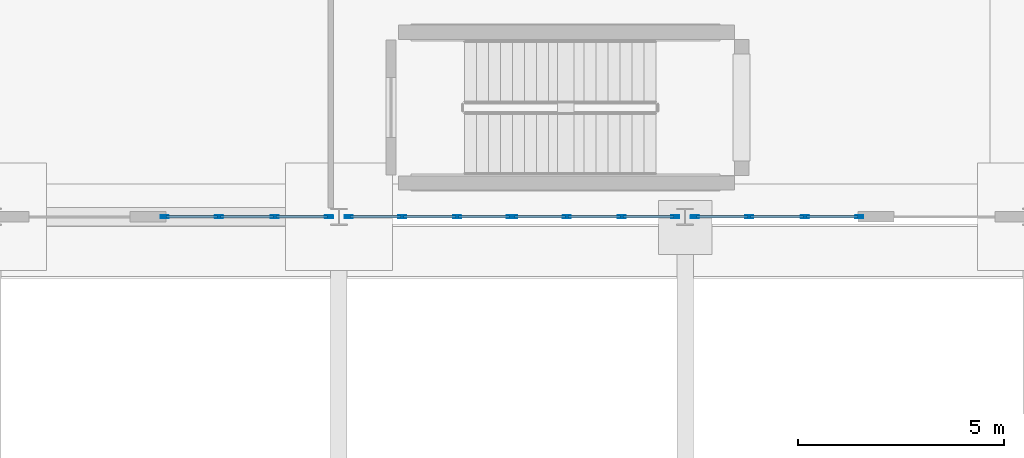
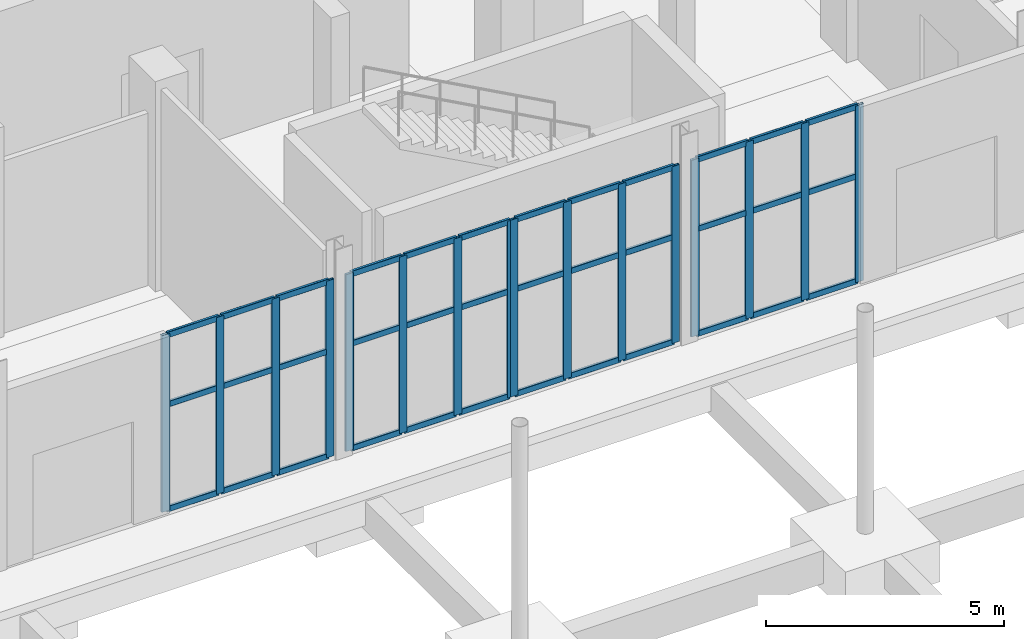
# One storey, part 45 of 95: 52 members, 4 elements without a shape of their own.
"""IFC4 building model written with IfcOpenShell, lengths in metres."""

from ifc_helpers import new_model, si_unit, direction, frame, origin, origin_2d, place, context, subcontext, project, spatial, hollow_rectangle, extrude, material, material_profile, profile_set, type_object, element, aggregate, save


model = new_model("IFC4")

# Units and contexts
model_context = context("Model", 3, precision=1e-05, world=origin(), true_north=direction((0.0, 1.0)))
body_context = subcontext(model_context, "Body", "Model", "MODEL_VIEW")
ifc_project = project(units=[si_unit("LENGTHUNIT", "METRE"), si_unit("AREAUNIT", "SQUARE_METRE"), si_unit("VOLUMEUNIT", "CUBIC_METRE"), si_unit("PLANEANGLEUNIT", "RADIAN"), si_unit("MASSUNIT", "GRAM", prefix="KILO")], contexts=[model_context])

# Site, building, storey
site_placement = place(None, origin())
site = spatial("IfcSite", under=ifc_project, at=site_placement, CompositionType="ELEMENT")
building_placement = place(site_placement, origin())
building = spatial("IfcBuilding", under=site, at=building_placement, Name="Shengluoqiao Park Theatre", CompositionType="ELEMENT")
storey_placement = place(building_placement, origin())
storey = spatial("IfcBuildingStorey", under=building, at=storey_placement, Name="L00", CompositionType="ELEMENT", Elevation=0.0)

# Curtain wall, members
ifc_material = material(Name="Aluminium 6063-T6", Category="aluminium")
curtain_wall_type = type_object("IfcCurtainWallType", Name="ENV-CW-PROM", PredefinedType="NOTDEFINED", material=ifc_material)
curtain_wall_1_placement = place(storey_placement, origin())
curtain_wall_1 = element("IfcCurtainWall", 1, at=curtain_wall_1_placement, inside=storey, type_object=curtain_wall_type, Name="L00 Curtain Wall CW-L00-0042", PredefinedType="NOTDEFINED")
ifc_material_profile_1 = material_profile(ifc_material, hollow_rectangle(XDim=0.06494140625, YDim=0.199951171875, WallThickness=0.0048828125, InnerFilletRadius=0.0048828125, OuterFilletRadius=0.010009765625, at=origin_2d()), Name="ALU MULLION 200x65x5")
ifc_profile_set_1 = profile_set([ifc_material_profile_1], Name="Aluminium 6063-T6")
member_type_1 = type_object("IfcMemberType", Name="ENV-MUL-200", PredefinedType="MULLION", material=ifc_profile_set_1)
member_1_placement = place(storey_placement, frame((65.37255859375, 68.39990234375, 0.0), z_axis=(0.0, 0.0, 1.0), x_axis=(0.0, 1.0, 0.0)))
member_1 = element("IfcMember", 2, at=member_1_placement, type_object=member_type_1, Name="CW-04 mullion 1", PredefinedType="MULLION", context=body_context, shape_type="SweptSolid", body=[
    extrude(hollow_rectangle(XDim=0.06494140625, YDim=0.199951171875, WallThickness=0.0048828125, InnerFilletRadius=0.0048828125, OuterFilletRadius=0.010009765625, at=origin_2d()), origin(), (0.0, 0.0, 1.0), 4.5419921875),
])
member_2_placement = place(storey_placement, frame((66.691162109375, 68.39990234375, 0.0), z_axis=(0.0, 0.0, 1.0), x_axis=(0.0, 1.0, 0.0)))
member_2 = element("IfcMember", 3, at=member_2_placement, type_object=member_type_1, Name="CW-04 mullion 2", PredefinedType="MULLION", context=body_context, shape_type="SweptSolid", body=[
    extrude(hollow_rectangle(XDim=0.06494140625, YDim=0.199951171875, WallThickness=0.0048828125, InnerFilletRadius=0.0048828125, OuterFilletRadius=0.010009765625, at=origin_2d()), origin(), (0.0, 0.0, 1.0), 4.5419921875),
])
member_3_placement = place(storey_placement, frame((68.042236328125, 68.39990234375, 0.0), z_axis=(0.0, 0.0, 1.0), x_axis=(0.0, 1.0, 0.0)))
member_3 = element("IfcMember", 4, at=member_3_placement, type_object=member_type_1, Name="CW-04 mullion 3", PredefinedType="MULLION", context=body_context, shape_type="SweptSolid", body=[
    extrude(hollow_rectangle(XDim=0.06494140625, YDim=0.199951171875, WallThickness=0.0048828125, InnerFilletRadius=0.0048828125, OuterFilletRadius=0.010009765625, at=origin_2d()), origin(), (0.0, 0.0, 1.0), 4.5419921875),
])
member_4_placement = place(storey_placement, frame((69.361083984375, 68.39990234375, 0.0), z_axis=(0.0, 0.0, 1.0), x_axis=(0.0, 1.0, 0.0)))
member_4 = element("IfcMember", 5, at=member_4_placement, type_object=member_type_1, Name="CW-04 mullion 4", PredefinedType="MULLION", context=body_context, shape_type="SweptSolid", body=[
    extrude(hollow_rectangle(XDim=0.06494140625, YDim=0.199951171875, WallThickness=0.0048828125, InnerFilletRadius=0.0048828125, OuterFilletRadius=0.010009765625, at=origin_2d()), origin(), (0.0, 0.0, 1.0), 4.5419921875),
])

curtain_wall_2_placement = place(storey_placement, origin())
curtain_wall_2 = element("IfcCurtainWall", 6, at=curtain_wall_2_placement, inside=storey, type_object=curtain_wall_type, Name="L00 Curtain Wall CW-L00-0043", PredefinedType="NOTDEFINED")
member_5_placement = place(storey_placement, frame((69.839111328125, 68.39990234375, 0.0), z_axis=(0.0, 0.0, 1.0), x_axis=(0.0, 1.0, 0.0)))
member_5 = element("IfcMember", 7, at=member_5_placement, type_object=member_type_1, Name="CW-04 mullion 1", PredefinedType="MULLION", context=body_context, shape_type="SweptSolid", body=[
    extrude(hollow_rectangle(XDim=0.06494140625, YDim=0.199951171875, WallThickness=0.0048828125, InnerFilletRadius=0.0048828125, OuterFilletRadius=0.010009765625, at=origin_2d()), origin(), (0.0, 0.0, 1.0), 4.5419921875),
])
member_6_placement = place(storey_placement, frame((71.1376953125, 68.39990234375, 0.0), z_axis=(0.0, 0.0, 1.0), x_axis=(0.0, 1.0, 0.0)))
member_6 = element("IfcMember", 8, at=member_6_placement, type_object=member_type_1, Name="CW-04 mullion 2", PredefinedType="MULLION", context=body_context, shape_type="SweptSolid", body=[
    extrude(hollow_rectangle(XDim=0.06494140625, YDim=0.199951171875, WallThickness=0.0048828125, InnerFilletRadius=0.0048828125, OuterFilletRadius=0.010009765625, at=origin_2d()), origin(), (0.0, 0.0, 1.0), 4.5419921875),
])
member_7_placement = place(storey_placement, frame((72.46875, 68.39990234375, 0.0), z_axis=(0.0, 0.0, 1.0), x_axis=(0.0, 1.0, 0.0)))
member_7 = element("IfcMember", 9, at=member_7_placement, type_object=member_type_1, Name="CW-04 mullion 3", PredefinedType="MULLION", context=body_context, shape_type="SweptSolid", body=[
    extrude(hollow_rectangle(XDim=0.06494140625, YDim=0.199951171875, WallThickness=0.0048828125, InnerFilletRadius=0.0048828125, OuterFilletRadius=0.010009765625, at=origin_2d()), origin(), (0.0, 0.0, 1.0), 4.5419921875),
])
member_8_placement = place(storey_placement, frame((73.767578125, 68.39990234375, 0.0), z_axis=(0.0, 0.0, 1.0), x_axis=(0.0, 1.0, 0.0)))
member_8 = element("IfcMember", 10, at=member_8_placement, type_object=member_type_1, Name="CW-04 mullion 4", PredefinedType="MULLION", context=body_context, shape_type="SweptSolid", body=[
    extrude(hollow_rectangle(XDim=0.06494140625, YDim=0.199951171875, WallThickness=0.0048828125, InnerFilletRadius=0.0048828125, OuterFilletRadius=0.010009765625, at=origin_2d()), origin(), (0.0, 0.0, 1.0), 4.5419921875),
])

curtain_wall_3_placement = place(storey_placement, origin())
curtain_wall_3 = element("IfcCurtainWall", 11, at=curtain_wall_3_placement, inside=storey, type_object=curtain_wall_type, Name="L00 Curtain Wall CW-L00-0044", PredefinedType="NOTDEFINED")
member_9_placement = place(storey_placement, frame((73.83251953125, 68.39990234375, 0.0), z_axis=(0.0, 0.0, 1.0), x_axis=(0.0, 1.0, 0.0)))
member_9 = element("IfcMember", 12, at=member_9_placement, type_object=member_type_1, Name="CW-04 mullion 1", PredefinedType="MULLION", context=body_context, shape_type="SweptSolid", body=[
    extrude(hollow_rectangle(XDim=0.06494140625, YDim=0.199951171875, WallThickness=0.0048828125, InnerFilletRadius=0.0048828125, OuterFilletRadius=0.010009765625, at=origin_2d()), origin(), (0.0, 0.0, 1.0), 4.5419921875),
])
member_10_placement = place(storey_placement, frame((75.131103515625, 68.39990234375, 0.0), z_axis=(0.0, 0.0, 1.0), x_axis=(0.0, 1.0, 0.0)))
member_10 = element("IfcMember", 13, at=member_10_placement, type_object=member_type_1, Name="CW-04 mullion 2", PredefinedType="MULLION", context=body_context, shape_type="SweptSolid", body=[
    extrude(hollow_rectangle(XDim=0.06494140625, YDim=0.199951171875, WallThickness=0.0048828125, InnerFilletRadius=0.0048828125, OuterFilletRadius=0.010009765625, at=origin_2d()), origin(), (0.0, 0.0, 1.0), 4.5419921875),
])
member_11_placement = place(storey_placement, frame((76.46240234375, 68.39990234375, 0.0), z_axis=(0.0, 0.0, 1.0), x_axis=(0.0, 1.0, 0.0)))
member_11 = element("IfcMember", 14, at=member_11_placement, type_object=member_type_1, Name="CW-04 mullion 3", PredefinedType="MULLION", context=body_context, shape_type="SweptSolid", body=[
    extrude(hollow_rectangle(XDim=0.06494140625, YDim=0.199951171875, WallThickness=0.0048828125, InnerFilletRadius=0.0048828125, OuterFilletRadius=0.010009765625, at=origin_2d()), origin(), (0.0, 0.0, 1.0), 4.5419921875),
])
member_12_placement = place(storey_placement, frame((77.760986328125, 68.39990234375, 0.0), z_axis=(0.0, 0.0, 1.0), x_axis=(0.0, 1.0, 0.0)))
member_12 = element("IfcMember", 15, at=member_12_placement, type_object=member_type_1, Name="CW-04 mullion 4", PredefinedType="MULLION", context=body_context, shape_type="SweptSolid", body=[
    extrude(hollow_rectangle(XDim=0.06494140625, YDim=0.199951171875, WallThickness=0.0048828125, InnerFilletRadius=0.0048828125, OuterFilletRadius=0.010009765625, at=origin_2d()), origin(), (0.0, 0.0, 1.0), 4.5419921875),
])

curtain_wall_4_placement = place(storey_placement, origin())
curtain_wall_4 = element("IfcCurtainWall", 16, at=curtain_wall_4_placement, inside=storey, type_object=curtain_wall_type, Name="L00 Curtain Wall CW-L00-0045", PredefinedType="NOTDEFINED")
member_13_placement = place(storey_placement, frame((78.239013671875, 68.39990234375, 0.0), z_axis=(0.0, 0.0, 1.0), x_axis=(0.0, 1.0, 0.0)))
member_13 = element("IfcMember", 17, at=member_13_placement, type_object=member_type_1, Name="CW-04 mullion 1", PredefinedType="MULLION", context=body_context, shape_type="SweptSolid", body=[
    extrude(hollow_rectangle(XDim=0.06494140625, YDim=0.199951171875, WallThickness=0.0048828125, InnerFilletRadius=0.0048828125, OuterFilletRadius=0.010009765625, at=origin_2d()), origin(), (0.0, 0.0, 1.0), 4.5419921875),
])
member_14_placement = place(storey_placement, frame((79.5576171875, 68.39990234375, 0.0), z_axis=(0.0, 0.0, 1.0), x_axis=(0.0, 1.0, 0.0)))
member_14 = element("IfcMember", 18, at=member_14_placement, type_object=member_type_1, Name="CW-04 mullion 2", PredefinedType="MULLION", context=body_context, shape_type="SweptSolid", body=[
    extrude(hollow_rectangle(XDim=0.06494140625, YDim=0.199951171875, WallThickness=0.0048828125, InnerFilletRadius=0.0048828125, OuterFilletRadius=0.010009765625, at=origin_2d()), origin(), (0.0, 0.0, 1.0), 4.5419921875),
])
member_15_placement = place(storey_placement, frame((80.908935546875, 68.39990234375, 0.0), z_axis=(0.0, 0.0, 1.0), x_axis=(0.0, 1.0, 0.0)))
member_15 = element("IfcMember", 19, at=member_15_placement, type_object=member_type_1, Name="CW-04 mullion 3", PredefinedType="MULLION", context=body_context, shape_type="SweptSolid", body=[
    extrude(hollow_rectangle(XDim=0.06494140625, YDim=0.199951171875, WallThickness=0.0048828125, InnerFilletRadius=0.0048828125, OuterFilletRadius=0.010009765625, at=origin_2d()), origin(), (0.0, 0.0, 1.0), 4.5419921875),
])
member_16_placement = place(storey_placement, frame((82.2275390625, 68.39990234375, 0.0), z_axis=(0.0, 0.0, 1.0), x_axis=(0.0, 1.0, 0.0)))
member_16 = element("IfcMember", 20, at=member_16_placement, type_object=member_type_1, Name="CW-04 mullion 4", PredefinedType="MULLION", context=body_context, shape_type="SweptSolid", body=[
    extrude(hollow_rectangle(XDim=0.06494140625, YDim=0.199951171875, WallThickness=0.0048828125, InnerFilletRadius=0.0048828125, OuterFilletRadius=0.010009765625, at=origin_2d()), origin(), (0.0, 0.0, 1.0), 4.5419921875),
])

# Member
ifc_material_profile_2 = material_profile(ifc_material, hollow_rectangle(XDim=0.06494140625, YDim=0.14990234375, WallThickness=0.00390625, InnerFilletRadius=0.00390625, OuterFilletRadius=0.008056640625, at=origin_2d()), Name="ALU TRANSOM 150x65x4")
ifc_profile_set_2 = profile_set([ifc_material_profile_2], Name="Aluminium 6063-T6")
member_type_2 = type_object("IfcMemberType", Name="ENV-TRN-150", PredefinedType="USERDEFINED", material=ifc_profile_set_2)
member_17_placement = place(storey_placement, frame((65.405029296875, 68.39990234375, 0.032470703125), z_axis=(1.0, 0.0, 0.0), x_axis=(0.0, 1.0, 0.0)))
member_17 = element("IfcMember", 21, at=member_17_placement, type_object=member_type_2, Name="CW-04 transom 1.1", ObjectType="TRANSOM", PredefinedType="USERDEFINED", context=body_context, shape_type="SweptSolid", body=[
    extrude(hollow_rectangle(XDim=0.06494140625, YDim=0.14990234375, WallThickness=0.00390625, InnerFilletRadius=0.00390625, OuterFilletRadius=0.008056640625, at=origin_2d()), origin(), (0.0, 0.0, 1.0), 1.253662109375),
])

member_18_placement = place(storey_placement, frame((65.405029296875, 68.39990234375, 2.72509765625), z_axis=(1.0, 0.0, 0.0), x_axis=(0.0, 1.0, 0.0)))
member_18 = element("IfcMember", 22, at=member_18_placement, type_object=member_type_2, Name="CW-04 transom 1.2", ObjectType="TRANSOM", PredefinedType="USERDEFINED", context=body_context, shape_type="SweptSolid", body=[
    extrude(hollow_rectangle(XDim=0.06494140625, YDim=0.14990234375, WallThickness=0.00390625, InnerFilletRadius=0.00390625, OuterFilletRadius=0.008056640625, at=origin_2d()), origin(), (0.0, 0.0, 1.0), 1.253662109375),
])

member_19_placement = place(storey_placement, frame((65.405029296875, 68.39990234375, 4.509521484375), z_axis=(1.0, 0.0, 0.0), x_axis=(0.0, 1.0, 0.0)))
member_19 = element("IfcMember", 23, at=member_19_placement, type_object=member_type_2, Name="CW-04 transom 1.3", ObjectType="TRANSOM", PredefinedType="USERDEFINED", context=body_context, shape_type="SweptSolid", body=[
    extrude(hollow_rectangle(XDim=0.06494140625, YDim=0.14990234375, WallThickness=0.00390625, InnerFilletRadius=0.00390625, OuterFilletRadius=0.008056640625, at=origin_2d()), origin(), (0.0, 0.0, 1.0), 1.253662109375),
])

member_20_placement = place(storey_placement, frame((66.7236328125, 68.39990234375, 0.032470703125), z_axis=(1.0, 0.0, 0.0), x_axis=(0.0, 1.0, 0.0)))
member_20 = element("IfcMember", 24, at=member_20_placement, type_object=member_type_2, Name="CW-04 transom 2.1", ObjectType="TRANSOM", PredefinedType="USERDEFINED", context=body_context, shape_type="SweptSolid", body=[
    extrude(hollow_rectangle(XDim=0.06494140625, YDim=0.14990234375, WallThickness=0.00390625, InnerFilletRadius=0.00390625, OuterFilletRadius=0.008056640625, at=origin_2d()), origin(), (0.0, 0.0, 1.0), 1.2861328125),
])

member_21_placement = place(storey_placement, frame((66.7236328125, 68.39990234375, 2.72509765625), z_axis=(1.0, 0.0, 0.0), x_axis=(0.0, 1.0, 0.0)))
member_21 = element("IfcMember", 25, at=member_21_placement, type_object=member_type_2, Name="CW-04 transom 2.2", ObjectType="TRANSOM", PredefinedType="USERDEFINED", context=body_context, shape_type="SweptSolid", body=[
    extrude(hollow_rectangle(XDim=0.06494140625, YDim=0.14990234375, WallThickness=0.00390625, InnerFilletRadius=0.00390625, OuterFilletRadius=0.008056640625, at=origin_2d()), origin(), (0.0, 0.0, 1.0), 1.2861328125),
])

member_22_placement = place(storey_placement, frame((66.7236328125, 68.39990234375, 4.509521484375), z_axis=(1.0, 0.0, 0.0), x_axis=(0.0, 1.0, 0.0)))
member_22 = element("IfcMember", 26, at=member_22_placement, type_object=member_type_2, Name="CW-04 transom 2.3", ObjectType="TRANSOM", PredefinedType="USERDEFINED", context=body_context, shape_type="SweptSolid", body=[
    extrude(hollow_rectangle(XDim=0.06494140625, YDim=0.14990234375, WallThickness=0.00390625, InnerFilletRadius=0.00390625, OuterFilletRadius=0.008056640625, at=origin_2d()), origin(), (0.0, 0.0, 1.0), 1.2861328125),
])

member_23_placement = place(storey_placement, frame((68.074951171875, 68.39990234375, 0.032470703125), z_axis=(1.0, 0.0, 0.0), x_axis=(0.0, 1.0, 0.0)))
member_23 = element("IfcMember", 27, at=member_23_placement, type_object=member_type_2, Name="CW-04 transom 3.1", ObjectType="TRANSOM", PredefinedType="USERDEFINED", context=body_context, shape_type="SweptSolid", body=[
    extrude(hollow_rectangle(XDim=0.06494140625, YDim=0.14990234375, WallThickness=0.00390625, InnerFilletRadius=0.00390625, OuterFilletRadius=0.008056640625, at=origin_2d()), origin(), (0.0, 0.0, 1.0), 1.253662109375),
])

member_24_placement = place(storey_placement, frame((68.074951171875, 68.39990234375, 2.72509765625), z_axis=(1.0, 0.0, 0.0), x_axis=(0.0, 1.0, 0.0)))
member_24 = element("IfcMember", 28, at=member_24_placement, type_object=member_type_2, Name="CW-04 transom 3.2", ObjectType="TRANSOM", PredefinedType="USERDEFINED", context=body_context, shape_type="SweptSolid", body=[
    extrude(hollow_rectangle(XDim=0.06494140625, YDim=0.14990234375, WallThickness=0.00390625, InnerFilletRadius=0.00390625, OuterFilletRadius=0.008056640625, at=origin_2d()), origin(), (0.0, 0.0, 1.0), 1.253662109375),
])

member_25_placement = place(storey_placement, frame((68.074951171875, 68.39990234375, 4.509521484375), z_axis=(1.0, 0.0, 0.0), x_axis=(0.0, 1.0, 0.0)))
member_25 = element("IfcMember", 29, at=member_25_placement, type_object=member_type_2, Name="CW-04 transom 3.3", ObjectType="TRANSOM", PredefinedType="USERDEFINED", context=body_context, shape_type="SweptSolid", body=[
    extrude(hollow_rectangle(XDim=0.06494140625, YDim=0.14990234375, WallThickness=0.00390625, InnerFilletRadius=0.00390625, OuterFilletRadius=0.008056640625, at=origin_2d()), origin(), (0.0, 0.0, 1.0), 1.253662109375),
])

aggregate(curtain_wall_1, [member_1, member_2, member_3, member_4, member_17, member_18, member_19, member_20, member_21, member_22, member_23, member_24, member_25])

member_26_placement = place(storey_placement, frame((69.87158203125, 68.39990234375, 0.032470703125), z_axis=(1.0, 0.0, 0.0), x_axis=(0.0, 1.0, 0.0)))
member_26 = element("IfcMember", 30, at=member_26_placement, type_object=member_type_2, Name="CW-04 transom 1.1", ObjectType="TRANSOM", PredefinedType="USERDEFINED", context=body_context, shape_type="SweptSolid", body=[
    extrude(hollow_rectangle(XDim=0.06494140625, YDim=0.14990234375, WallThickness=0.00390625, InnerFilletRadius=0.00390625, OuterFilletRadius=0.008056640625, at=origin_2d()), origin(), (0.0, 0.0, 1.0), 1.233642578125),
])

member_27_placement = place(storey_placement, frame((69.87158203125, 68.39990234375, 2.72509765625), z_axis=(1.0, 0.0, 0.0), x_axis=(0.0, 1.0, 0.0)))
member_27 = element("IfcMember", 31, at=member_27_placement, type_object=member_type_2, Name="CW-04 transom 1.2", ObjectType="TRANSOM", PredefinedType="USERDEFINED", context=body_context, shape_type="SweptSolid", body=[
    extrude(hollow_rectangle(XDim=0.06494140625, YDim=0.14990234375, WallThickness=0.00390625, InnerFilletRadius=0.00390625, OuterFilletRadius=0.008056640625, at=origin_2d()), origin(), (0.0, 0.0, 1.0), 1.233642578125),
])

member_28_placement = place(storey_placement, frame((69.87158203125, 68.39990234375, 4.509521484375), z_axis=(1.0, 0.0, 0.0), x_axis=(0.0, 1.0, 0.0)))
member_28 = element("IfcMember", 32, at=member_28_placement, type_object=member_type_2, Name="CW-04 transom 1.3", ObjectType="TRANSOM", PredefinedType="USERDEFINED", context=body_context, shape_type="SweptSolid", body=[
    extrude(hollow_rectangle(XDim=0.06494140625, YDim=0.14990234375, WallThickness=0.00390625, InnerFilletRadius=0.00390625, OuterFilletRadius=0.008056640625, at=origin_2d()), origin(), (0.0, 0.0, 1.0), 1.233642578125),
])

member_29_placement = place(storey_placement, frame((71.170166015625, 68.39990234375, 0.032470703125), z_axis=(1.0, 0.0, 0.0), x_axis=(0.0, 1.0, 0.0)))
member_29 = element("IfcMember", 33, at=member_29_placement, type_object=member_type_2, Name="CW-04 transom 2.1", ObjectType="TRANSOM", PredefinedType="USERDEFINED", context=body_context, shape_type="SweptSolid", body=[
    extrude(hollow_rectangle(XDim=0.06494140625, YDim=0.14990234375, WallThickness=0.00390625, InnerFilletRadius=0.00390625, OuterFilletRadius=0.008056640625, at=origin_2d()), origin(), (0.0, 0.0, 1.0), 1.26611328125),
])

member_30_placement = place(storey_placement, frame((71.170166015625, 68.39990234375, 2.72509765625), z_axis=(1.0, 0.0, 0.0), x_axis=(0.0, 1.0, 0.0)))
member_30 = element("IfcMember", 34, at=member_30_placement, type_object=member_type_2, Name="CW-04 transom 2.2", ObjectType="TRANSOM", PredefinedType="USERDEFINED", context=body_context, shape_type="SweptSolid", body=[
    extrude(hollow_rectangle(XDim=0.06494140625, YDim=0.14990234375, WallThickness=0.00390625, InnerFilletRadius=0.00390625, OuterFilletRadius=0.008056640625, at=origin_2d()), origin(), (0.0, 0.0, 1.0), 1.26611328125),
])

member_31_placement = place(storey_placement, frame((71.170166015625, 68.39990234375, 4.509521484375), z_axis=(1.0, 0.0, 0.0), x_axis=(0.0, 1.0, 0.0)))
member_31 = element("IfcMember", 35, at=member_31_placement, type_object=member_type_2, Name="CW-04 transom 2.3", ObjectType="TRANSOM", PredefinedType="USERDEFINED", context=body_context, shape_type="SweptSolid", body=[
    extrude(hollow_rectangle(XDim=0.06494140625, YDim=0.14990234375, WallThickness=0.00390625, InnerFilletRadius=0.00390625, OuterFilletRadius=0.008056640625, at=origin_2d()), origin(), (0.0, 0.0, 1.0), 1.26611328125),
])

member_32_placement = place(storey_placement, frame((72.501220703125, 68.39990234375, 0.032470703125), z_axis=(1.0, 0.0, 0.0), x_axis=(0.0, 1.0, 0.0)))
member_32 = element("IfcMember", 36, at=member_32_placement, type_object=member_type_2, Name="CW-04 transom 3.1", ObjectType="TRANSOM", PredefinedType="USERDEFINED", context=body_context, shape_type="SweptSolid", body=[
    extrude(hollow_rectangle(XDim=0.06494140625, YDim=0.14990234375, WallThickness=0.00390625, InnerFilletRadius=0.00390625, OuterFilletRadius=0.008056640625, at=origin_2d()), origin(), (0.0, 0.0, 1.0), 1.23388671875),
])

member_33_placement = place(storey_placement, frame((72.501220703125, 68.39990234375, 2.72509765625), z_axis=(1.0, 0.0, 0.0), x_axis=(0.0, 1.0, 0.0)))
member_33 = element("IfcMember", 37, at=member_33_placement, type_object=member_type_2, Name="CW-04 transom 3.2", ObjectType="TRANSOM", PredefinedType="USERDEFINED", context=body_context, shape_type="SweptSolid", body=[
    extrude(hollow_rectangle(XDim=0.06494140625, YDim=0.14990234375, WallThickness=0.00390625, InnerFilletRadius=0.00390625, OuterFilletRadius=0.008056640625, at=origin_2d()), origin(), (0.0, 0.0, 1.0), 1.23388671875),
])

member_34_placement = place(storey_placement, frame((72.501220703125, 68.39990234375, 4.509521484375), z_axis=(1.0, 0.0, 0.0), x_axis=(0.0, 1.0, 0.0)))
member_34 = element("IfcMember", 38, at=member_34_placement, type_object=member_type_2, Name="CW-04 transom 3.3", ObjectType="TRANSOM", PredefinedType="USERDEFINED", context=body_context, shape_type="SweptSolid", body=[
    extrude(hollow_rectangle(XDim=0.06494140625, YDim=0.14990234375, WallThickness=0.00390625, InnerFilletRadius=0.00390625, OuterFilletRadius=0.008056640625, at=origin_2d()), origin(), (0.0, 0.0, 1.0), 1.23388671875),
])

aggregate(curtain_wall_2, [member_5, member_6, member_7, member_8, member_26, member_27, member_28, member_29, member_30, member_31, member_32, member_33, member_34])

member_35_placement = place(storey_placement, frame((73.864990234375, 68.39990234375, 0.032470703125), z_axis=(1.0, 0.0, 0.0), x_axis=(0.0, 1.0, 0.0)))
member_35 = element("IfcMember", 39, at=member_35_placement, type_object=member_type_2, Name="CW-04 transom 1.1", ObjectType="TRANSOM", PredefinedType="USERDEFINED", context=body_context, shape_type="SweptSolid", body=[
    extrude(hollow_rectangle(XDim=0.06494140625, YDim=0.14990234375, WallThickness=0.00390625, InnerFilletRadius=0.00390625, OuterFilletRadius=0.008056640625, at=origin_2d()), origin(), (0.0, 0.0, 1.0), 1.233642578125),
])

member_36_placement = place(storey_placement, frame((73.864990234375, 68.39990234375, 2.72509765625), z_axis=(1.0, 0.0, 0.0), x_axis=(0.0, 1.0, 0.0)))
member_36 = element("IfcMember", 40, at=member_36_placement, type_object=member_type_2, Name="CW-04 transom 1.2", ObjectType="TRANSOM", PredefinedType="USERDEFINED", context=body_context, shape_type="SweptSolid", body=[
    extrude(hollow_rectangle(XDim=0.06494140625, YDim=0.14990234375, WallThickness=0.00390625, InnerFilletRadius=0.00390625, OuterFilletRadius=0.008056640625, at=origin_2d()), origin(), (0.0, 0.0, 1.0), 1.233642578125),
])

member_37_placement = place(storey_placement, frame((73.864990234375, 68.39990234375, 4.509521484375), z_axis=(1.0, 0.0, 0.0), x_axis=(0.0, 1.0, 0.0)))
member_37 = element("IfcMember", 41, at=member_37_placement, type_object=member_type_2, Name="CW-04 transom 1.3", ObjectType="TRANSOM", PredefinedType="USERDEFINED", context=body_context, shape_type="SweptSolid", body=[
    extrude(hollow_rectangle(XDim=0.06494140625, YDim=0.14990234375, WallThickness=0.00390625, InnerFilletRadius=0.00390625, OuterFilletRadius=0.008056640625, at=origin_2d()), origin(), (0.0, 0.0, 1.0), 1.233642578125),
])

member_38_placement = place(storey_placement, frame((75.16357421875, 68.39990234375, 0.032470703125), z_axis=(1.0, 0.0, 0.0), x_axis=(0.0, 1.0, 0.0)))
member_38 = element("IfcMember", 42, at=member_38_placement, type_object=member_type_2, Name="CW-04 transom 2.1", ObjectType="TRANSOM", PredefinedType="USERDEFINED", context=body_context, shape_type="SweptSolid", body=[
    extrude(hollow_rectangle(XDim=0.06494140625, YDim=0.14990234375, WallThickness=0.00390625, InnerFilletRadius=0.00390625, OuterFilletRadius=0.008056640625, at=origin_2d()), origin(), (0.0, 0.0, 1.0), 1.266357421875),
])

member_39_placement = place(storey_placement, frame((75.16357421875, 68.39990234375, 2.72509765625), z_axis=(1.0, 0.0, 0.0), x_axis=(0.0, 1.0, 0.0)))
member_39 = element("IfcMember", 43, at=member_39_placement, type_object=member_type_2, Name="CW-04 transom 2.2", ObjectType="TRANSOM", PredefinedType="USERDEFINED", context=body_context, shape_type="SweptSolid", body=[
    extrude(hollow_rectangle(XDim=0.06494140625, YDim=0.14990234375, WallThickness=0.00390625, InnerFilletRadius=0.00390625, OuterFilletRadius=0.008056640625, at=origin_2d()), origin(), (0.0, 0.0, 1.0), 1.266357421875),
])

member_40_placement = place(storey_placement, frame((75.16357421875, 68.39990234375, 4.509521484375), z_axis=(1.0, 0.0, 0.0), x_axis=(0.0, 1.0, 0.0)))
member_40 = element("IfcMember", 44, at=member_40_placement, type_object=member_type_2, Name="CW-04 transom 2.3", ObjectType="TRANSOM", PredefinedType="USERDEFINED", context=body_context, shape_type="SweptSolid", body=[
    extrude(hollow_rectangle(XDim=0.06494140625, YDim=0.14990234375, WallThickness=0.00390625, InnerFilletRadius=0.00390625, OuterFilletRadius=0.008056640625, at=origin_2d()), origin(), (0.0, 0.0, 1.0), 1.266357421875),
])

member_41_placement = place(storey_placement, frame((76.494873046875, 68.39990234375, 0.032470703125), z_axis=(1.0, 0.0, 0.0), x_axis=(0.0, 1.0, 0.0)))
member_41 = element("IfcMember", 45, at=member_41_placement, type_object=member_type_2, Name="CW-04 transom 3.1", ObjectType="TRANSOM", PredefinedType="USERDEFINED", context=body_context, shape_type="SweptSolid", body=[
    extrude(hollow_rectangle(XDim=0.06494140625, YDim=0.14990234375, WallThickness=0.00390625, InnerFilletRadius=0.00390625, OuterFilletRadius=0.008056640625, at=origin_2d()), origin(), (0.0, 0.0, 1.0), 1.233642578125),
])

member_42_placement = place(storey_placement, frame((76.494873046875, 68.39990234375, 2.72509765625), z_axis=(1.0, 0.0, 0.0), x_axis=(0.0, 1.0, 0.0)))
member_42 = element("IfcMember", 46, at=member_42_placement, type_object=member_type_2, Name="CW-04 transom 3.2", ObjectType="TRANSOM", PredefinedType="USERDEFINED", context=body_context, shape_type="SweptSolid", body=[
    extrude(hollow_rectangle(XDim=0.06494140625, YDim=0.14990234375, WallThickness=0.00390625, InnerFilletRadius=0.00390625, OuterFilletRadius=0.008056640625, at=origin_2d()), origin(), (0.0, 0.0, 1.0), 1.233642578125),
])

member_43_placement = place(storey_placement, frame((76.494873046875, 68.39990234375, 4.509521484375), z_axis=(1.0, 0.0, 0.0), x_axis=(0.0, 1.0, 0.0)))
member_43 = element("IfcMember", 47, at=member_43_placement, type_object=member_type_2, Name="CW-04 transom 3.3", ObjectType="TRANSOM", PredefinedType="USERDEFINED", context=body_context, shape_type="SweptSolid", body=[
    extrude(hollow_rectangle(XDim=0.06494140625, YDim=0.14990234375, WallThickness=0.00390625, InnerFilletRadius=0.00390625, OuterFilletRadius=0.008056640625, at=origin_2d()), origin(), (0.0, 0.0, 1.0), 1.233642578125),
])

aggregate(curtain_wall_3, [member_9, member_10, member_11, member_12, member_35, member_36, member_37, member_38, member_39, member_40, member_41, member_42, member_43])

member_44_placement = place(storey_placement, frame((78.271484375, 68.39990234375, 0.032470703125), z_axis=(1.0, 0.0, 0.0), x_axis=(0.0, 1.0, 0.0)))
member_44 = element("IfcMember", 48, at=member_44_placement, type_object=member_type_2, Name="CW-04 transom 1.1", ObjectType="TRANSOM", PredefinedType="USERDEFINED", context=body_context, shape_type="SweptSolid", body=[
    extrude(hollow_rectangle(XDim=0.06494140625, YDim=0.14990234375, WallThickness=0.00390625, InnerFilletRadius=0.00390625, OuterFilletRadius=0.008056640625, at=origin_2d()), origin(), (0.0, 0.0, 1.0), 1.253662109375),
])

member_45_placement = place(storey_placement, frame((78.271484375, 68.39990234375, 2.72509765625), z_axis=(1.0, 0.0, 0.0), x_axis=(0.0, 1.0, 0.0)))
member_45 = element("IfcMember", 49, at=member_45_placement, type_object=member_type_2, Name="CW-04 transom 1.2", ObjectType="TRANSOM", PredefinedType="USERDEFINED", context=body_context, shape_type="SweptSolid", body=[
    extrude(hollow_rectangle(XDim=0.06494140625, YDim=0.14990234375, WallThickness=0.00390625, InnerFilletRadius=0.00390625, OuterFilletRadius=0.008056640625, at=origin_2d()), origin(), (0.0, 0.0, 1.0), 1.253662109375),
])

member_46_placement = place(storey_placement, frame((78.271484375, 68.39990234375, 4.509521484375), z_axis=(1.0, 0.0, 0.0), x_axis=(0.0, 1.0, 0.0)))
member_46 = element("IfcMember", 50, at=member_46_placement, type_object=member_type_2, Name="CW-04 transom 1.3", ObjectType="TRANSOM", PredefinedType="USERDEFINED", context=body_context, shape_type="SweptSolid", body=[
    extrude(hollow_rectangle(XDim=0.06494140625, YDim=0.14990234375, WallThickness=0.00390625, InnerFilletRadius=0.00390625, OuterFilletRadius=0.008056640625, at=origin_2d()), origin(), (0.0, 0.0, 1.0), 1.253662109375),
])

member_47_placement = place(storey_placement, frame((79.590087890625, 68.39990234375, 0.032470703125), z_axis=(1.0, 0.0, 0.0), x_axis=(0.0, 1.0, 0.0)))
member_47 = element("IfcMember", 51, at=member_47_placement, type_object=member_type_2, Name="CW-04 transom 2.1", ObjectType="TRANSOM", PredefinedType="USERDEFINED", context=body_context, shape_type="SweptSolid", body=[
    extrude(hollow_rectangle(XDim=0.06494140625, YDim=0.14990234375, WallThickness=0.00390625, InnerFilletRadius=0.00390625, OuterFilletRadius=0.008056640625, at=origin_2d()), origin(), (0.0, 0.0, 1.0), 1.2861328125),
])

member_48_placement = place(storey_placement, frame((79.590087890625, 68.39990234375, 2.72509765625), z_axis=(1.0, 0.0, 0.0), x_axis=(0.0, 1.0, 0.0)))
member_48 = element("IfcMember", 52, at=member_48_placement, type_object=member_type_2, Name="CW-04 transom 2.2", ObjectType="TRANSOM", PredefinedType="USERDEFINED", context=body_context, shape_type="SweptSolid", body=[
    extrude(hollow_rectangle(XDim=0.06494140625, YDim=0.14990234375, WallThickness=0.00390625, InnerFilletRadius=0.00390625, OuterFilletRadius=0.008056640625, at=origin_2d()), origin(), (0.0, 0.0, 1.0), 1.2861328125),
])

member_49_placement = place(storey_placement, frame((79.590087890625, 68.39990234375, 4.509521484375), z_axis=(1.0, 0.0, 0.0), x_axis=(0.0, 1.0, 0.0)))
member_49 = element("IfcMember", 53, at=member_49_placement, type_object=member_type_2, Name="CW-04 transom 2.3", ObjectType="TRANSOM", PredefinedType="USERDEFINED", context=body_context, shape_type="SweptSolid", body=[
    extrude(hollow_rectangle(XDim=0.06494140625, YDim=0.14990234375, WallThickness=0.00390625, InnerFilletRadius=0.00390625, OuterFilletRadius=0.008056640625, at=origin_2d()), origin(), (0.0, 0.0, 1.0), 1.2861328125),
])

member_50_placement = place(storey_placement, frame((80.94140625, 68.39990234375, 0.032470703125), z_axis=(1.0, 0.0, 0.0), x_axis=(0.0, 1.0, 0.0)))
member_50 = element("IfcMember", 54, at=member_50_placement, type_object=member_type_2, Name="CW-04 transom 3.1", ObjectType="TRANSOM", PredefinedType="USERDEFINED", context=body_context, shape_type="SweptSolid", body=[
    extrude(hollow_rectangle(XDim=0.06494140625, YDim=0.14990234375, WallThickness=0.00390625, InnerFilletRadius=0.00390625, OuterFilletRadius=0.008056640625, at=origin_2d()), origin(), (0.0, 0.0, 1.0), 1.253662109375),
])

member_51_placement = place(storey_placement, frame((80.94140625, 68.39990234375, 2.72509765625), z_axis=(1.0, 0.0, 0.0), x_axis=(0.0, 1.0, 0.0)))
member_51 = element("IfcMember", 55, at=member_51_placement, type_object=member_type_2, Name="CW-04 transom 3.2", ObjectType="TRANSOM", PredefinedType="USERDEFINED", context=body_context, shape_type="SweptSolid", body=[
    extrude(hollow_rectangle(XDim=0.06494140625, YDim=0.14990234375, WallThickness=0.00390625, InnerFilletRadius=0.00390625, OuterFilletRadius=0.008056640625, at=origin_2d()), origin(), (0.0, 0.0, 1.0), 1.253662109375),
])

member_52_placement = place(storey_placement, frame((80.94140625, 68.39990234375, 4.509521484375), z_axis=(1.0, 0.0, 0.0), x_axis=(0.0, 1.0, 0.0)))
member_52 = element("IfcMember", 56, at=member_52_placement, type_object=member_type_2, Name="CW-04 transom 3.3", ObjectType="TRANSOM", PredefinedType="USERDEFINED", context=body_context, shape_type="SweptSolid", body=[
    extrude(hollow_rectangle(XDim=0.06494140625, YDim=0.14990234375, WallThickness=0.00390625, InnerFilletRadius=0.00390625, OuterFilletRadius=0.008056640625, at=origin_2d()), origin(), (0.0, 0.0, 1.0), 1.253662109375),
])

aggregate(curtain_wall_4, [member_13, member_14, member_15, member_16, member_44, member_45, member_46, member_47, member_48, member_49, member_50, member_51, member_52])

save(model, "model.ifc")
